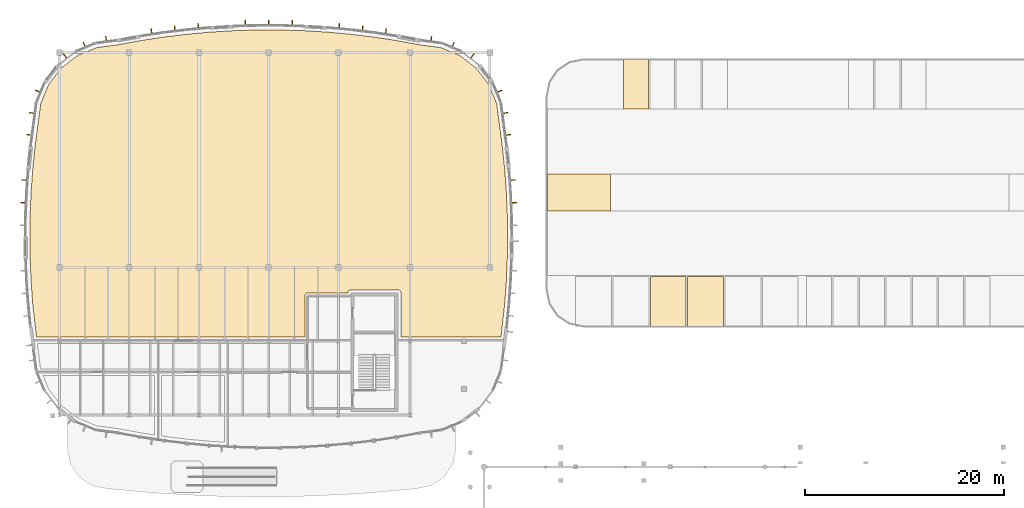
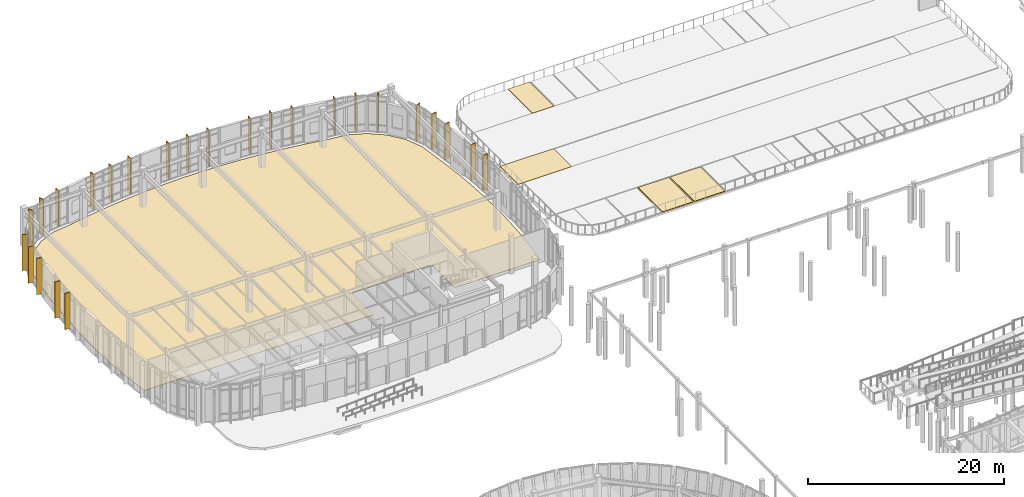
# One storey, part 111 of 120: 30 coverings.
"""IFC4 building model written with IfcOpenShell, lengths in metres."""

from ifc_helpers import new_model, si_unit, direction, origin, place, context, subcontext, project, spatial, polyline, outline, extrude, material, layer, layer_set, type_object, element, save


model = new_model("IFC4")

# Units and contexts
model_context = context("Model", 3, precision=1e-05, world=origin(), true_north=direction((0.0, 1.0)))
body_context = subcontext(model_context, "Body", "Model", "MODEL_VIEW")
ifc_project = project(units=[si_unit("LENGTHUNIT", "METRE"), si_unit("AREAUNIT", "SQUARE_METRE"), si_unit("VOLUMEUNIT", "CUBIC_METRE"), si_unit("PLANEANGLEUNIT", "RADIAN"), si_unit("MASSUNIT", "GRAM", prefix="KILO")], contexts=[model_context])

# Site, building, storey
site_placement = place(None, origin())
site = spatial("IfcSite", under=ifc_project, at=site_placement, CompositionType="ELEMENT")
building_placement = place(site_placement, origin())
building = spatial("IfcBuilding", under=site, at=building_placement, Name="Corveleigh Park Community Centre", CompositionType="ELEMENT")
storey_placement = place(building_placement, origin())
storey = spatial("IfcBuildingStorey", under=building, at=storey_placement, Name="L00", CompositionType="ELEMENT", Elevation=0.0)

# Coverings
ifc_material_1 = material(Name="Warm buff ribbed architectural cladding", Category="masonry")
ifc_layer_1 = layer(ifc_material_1, 0.0849609375, Name="Warm buff ribbed architectural cladding", Category="masonry")
ifc_layer_set_1 = layer_set([ifc_layer_1], Name="Warm buff ribbed architectural cladding")
covering_type_1 = type_object("IfcCoveringType", Name="COV-CLD-BUF", PredefinedType="CLADDING", material=ifc_layer_set_1)
covering_1_placement = place(storey_placement, origin())
element("IfcCovering", 1, at=covering_1_placement, inside=storey, type_object=covering_type_1, Name="V2 L00 Brise-soleil blade 15", PredefinedType="CLADDING", context=body_context, shape_type="SweptSolid", body=[
    extrude(outline(polyline([(56.51611328125, 99.342041015625), (56.52001953125, 99.257080078125), (57.09912109375, 99.281982421875), (57.095947265625, 99.366943359375), (56.51611328125, 99.342041015625)])), origin(), (0.0, 0.0, 1.0), 4.511962890625),
])
covering_2_placement = place(storey_placement, origin())
element("IfcCovering", 2, at=covering_2_placement, inside=storey, type_object=covering_type_1, Name="V2 L00 Brise-soleil blade 16", PredefinedType="CLADDING", context=body_context, shape_type="SweptSolid", body=[
    extrude(outline(polyline([(56.384033203125, 101.60498046875), (56.389892578125, 101.52001953125), (56.968994140625, 101.56201171875), (56.9619140625, 101.64697265625), (56.384033203125, 101.60498046875)])), origin(), (0.0, 0.0, 1.0), 4.511962890625),
])
covering_3_placement = place(storey_placement, origin())
element("IfcCovering", 3, at=covering_3_placement, inside=storey, type_object=covering_type_1, Name="V2 L00 Brise-soleil blade 17", PredefinedType="CLADDING", context=body_context, shape_type="SweptSolid", body=[
    extrude(outline(polyline([(55.922119140625, 106.116943359375), (55.93310546875, 106.031982421875), (56.508056640625, 106.10791015625), (56.4970703125, 106.19189453125), (55.922119140625, 106.116943359375)])), origin(), (0.0, 0.0, 1.0), 4.511962890625),
])
covering_4_placement = place(storey_placement, origin())
element("IfcCovering", 4, at=covering_4_placement, inside=storey, type_object=covering_type_1, Name="V2 L00 Brise-soleil blade 18", PredefinedType="CLADDING", context=body_context, shape_type="SweptSolid", body=[
    extrude(outline(polyline([(55.633056640625, 108.31396484375), (55.64404296875, 108.22900390625), (56.218994140625, 108.304931640625), (56.2080078125, 108.388916015625), (55.633056640625, 108.31396484375)])), origin(), (0.0, 0.0, 1.0), 4.511962890625),
])
covering_5_placement = place(storey_placement, origin())
element("IfcCovering", 5, at=covering_5_placement, inside=storey, type_object=covering_type_1, Name="V2 L00 Brise-soleil blade 19", PredefinedType="CLADDING", context=body_context, shape_type="SweptSolid", body=[
    extrude(outline(polyline([(55.06005859375, 110.4189453125), (55.092041015625, 110.340087890625), (55.6279296875, 110.56201171875), (55.595947265625, 110.64111328125), (55.06005859375, 110.4189453125)])), origin(), (0.0, 0.0, 1.0), 4.511962890625),
])
covering_6_placement = place(storey_placement, origin())
element("IfcCovering", 6, at=covering_6_placement, inside=storey, type_object=covering_type_1, Name="V2 L00 Brise-soleil blade 20", PredefinedType="CLADDING", context=body_context, shape_type="SweptSolid", body=[
    extrude(outline(polyline([(52.424072265625, 113.818115234375), (52.491943359375, 113.76611328125), (52.844970703125, 114.22607421875), (52.777099609375, 114.278076171875), (52.424072265625, 113.818115234375)])), origin(), (0.0, 0.0, 1.0), 4.511962890625),
])
covering_7_placement = place(storey_placement, origin())
element("IfcCovering", 7, at=covering_7_placement, inside=storey, type_object=covering_type_1, Name="V2 L00 Brise-soleil blade 21", PredefinedType="CLADDING", context=body_context, shape_type="SweptSolid", body=[
    extrude(outline(polyline([(50.5400390625, 114.89208984375), (50.618896484375, 114.860107421875), (50.841064453125, 115.39599609375), (50.761962890625, 115.427978515625), (50.5400390625, 114.89208984375)])), origin(), (0.0, 0.0, 1.0), 4.511962890625),
])
covering_8_placement = place(storey_placement, origin())
element("IfcCovering", 8, at=covering_8_placement, inside=storey, type_object=covering_type_1, Name="V2 L00 Brise-soleil blade 22", PredefinedType="CLADDING", context=body_context, shape_type="SweptSolid", body=[
    extrude(outline(polyline([(48.431884765625, 115.444091796875), (48.51611328125, 115.43310546875), (48.592041015625, 116.008056640625), (48.508056640625, 116.01904296875), (48.431884765625, 115.444091796875)])), origin(), (0.0, 0.0, 1.0), 4.511962890625),
])
covering_9_placement = place(storey_placement, origin())
element("IfcCovering", 9, at=covering_9_placement, inside=storey, type_object=covering_type_1, Name="V2 L00 Brise-soleil blade 23", PredefinedType="CLADDING", context=body_context, shape_type="SweptSolid", body=[
    extrude(outline(polyline([(43.876953125, 116.18896484375), (43.9609375, 116.176025390625), (44.048095703125, 116.7490234375), (43.964111328125, 116.761962890625), (43.876953125, 116.18896484375)])), origin(), (0.0, 0.0, 1.0), 4.511962890625),
])
covering_10_placement = place(storey_placement, origin())
element("IfcCovering", 10, at=covering_10_placement, inside=storey, type_object=covering_type_1, Name="V2 L00 Brise-soleil blade 24", PredefinedType="CLADDING", context=body_context, shape_type="SweptSolid", body=[
    extrude(outline(polyline([(41.5458984375, 116.506103515625), (41.6298828125, 116.49609375), (41.699951171875, 117.072021484375), (41.615966796875, 117.08203125), (41.5458984375, 116.506103515625)])), origin(), (0.0, 0.0, 1.0), 4.511962890625),
])
covering_11_placement = place(storey_placement, origin())
element("IfcCovering", 11, at=covering_11_placement, inside=storey, type_object=covering_type_1, Name="V2 L00 Brise-soleil blade 25", PredefinedType="CLADDING", context=body_context, shape_type="SweptSolid", body=[
    extrude(outline(polyline([(39.2060546875, 116.75390625), (39.291015625, 116.74609375), (39.343017578125, 117.323974609375), (39.259033203125, 117.3310546875), (39.2060546875, 116.75390625)])), origin(), (0.0, 0.0, 1.0), 4.511962890625),
])
covering_12_placement = place(storey_placement, origin())
element("IfcCovering", 12, at=covering_12_placement, inside=storey, type_object=covering_type_1, Name="V2 L00 Brise-soleil blade 26", PredefinedType="CLADDING", context=body_context, shape_type="SweptSolid", body=[
    extrude(outline(polyline([(34.510009765625, 117.035888671875), (34.594970703125, 117.032958984375), (34.613037109375, 117.613037109375), (34.528076171875, 117.615966796875), (34.510009765625, 117.035888671875)])), origin(), (0.0, 0.0, 1.0), 4.511962890625),
])
covering_13_placement = place(storey_placement, origin())
element("IfcCovering", 13, at=covering_13_placement, inside=storey, type_object=covering_type_1, Name="V2 L00 Brise-soleil blade 27", PredefinedType="CLADDING", context=body_context, shape_type="SweptSolid", body=[
    extrude(outline(polyline([(32.157958984375, 117.070068359375), (32.241943359375, 117.070068359375), (32.241943359375, 117.64990234375), (32.157958984375, 117.64990234375), (32.157958984375, 117.070068359375)])), origin(), (0.0, 0.0, 1.0), 4.511962890625),
])
covering_14_placement = place(storey_placement, origin())
element("IfcCovering", 14, at=covering_14_placement, inside=storey, type_object=covering_type_1, Name="V2 L00 Brise-soleil blade 28", PredefinedType="CLADDING", context=body_context, shape_type="SweptSolid", body=[
    extrude(outline(polyline([(29.804931640625, 117.032958984375), (29.889892578125, 117.035888671875), (29.8720703125, 117.615966796875), (29.787109375, 117.613037109375), (29.804931640625, 117.032958984375)])), origin(), (0.0, 0.0, 1.0), 4.511962890625),
])
covering_15_placement = place(storey_placement, origin())
element("IfcCovering", 15, at=covering_15_placement, inside=storey, type_object=covering_type_1, Name="V2 L00 Brise-soleil blade 29", PredefinedType="CLADDING", context=body_context, shape_type="SweptSolid", body=[
    extrude(outline(polyline([(25.10888671875, 116.74609375), (25.194091796875, 116.75390625), (25.14111328125, 117.3310546875), (25.056884765625, 117.323974609375), (25.10888671875, 116.74609375)])), origin(), (0.0, 0.0, 1.0), 4.511962890625),
])
covering_16_placement = place(storey_placement, origin())
element("IfcCovering", 16, at=covering_16_placement, inside=storey, type_object=covering_type_1, Name="V2 L00 Brise-soleil blade 30", PredefinedType="CLADDING", context=body_context, shape_type="SweptSolid", body=[
    extrude(outline(polyline([(22.77001953125, 116.49609375), (22.85400390625, 116.506103515625), (22.783935546875, 117.08203125), (22.699951171875, 117.072021484375), (22.77001953125, 116.49609375)])), origin(), (0.0, 0.0, 1.0), 4.511962890625),
])
covering_17_placement = place(storey_placement, origin())
element("IfcCovering", 17, at=covering_17_placement, inside=storey, type_object=covering_type_1, Name="V2 L00 Brise-soleil blade 31", PredefinedType="CLADDING", context=body_context, shape_type="SweptSolid", body=[
    extrude(outline(polyline([(20.43896484375, 116.176025390625), (20.52294921875, 116.18896484375), (20.43603515625, 116.761962890625), (20.35205078125, 116.7490234375), (20.43896484375, 116.176025390625)])), origin(), (0.0, 0.0, 1.0), 4.511962890625),
])
covering_18_placement = place(storey_placement, origin())
element("IfcCovering", 18, at=covering_18_placement, inside=storey, type_object=covering_type_1, Name="V2 L00 Brise-soleil blade 32", PredefinedType="CLADDING", context=body_context, shape_type="SweptSolid", body=[
    extrude(outline(polyline([(15.884033203125, 115.43310546875), (15.968017578125, 115.444091796875), (15.89208984375, 116.01904296875), (15.80810546875, 116.008056640625), (15.884033203125, 115.43310546875)])), origin(), (0.0, 0.0, 1.0), 4.511962890625),
])
covering_19_placement = place(storey_placement, origin())
element("IfcCovering", 19, at=covering_19_placement, inside=storey, type_object=covering_type_1, Name="V2 L00 Brise-soleil blade 33", PredefinedType="CLADDING", context=body_context, shape_type="SweptSolid", body=[
    extrude(outline(polyline([(13.781005859375, 114.860107421875), (13.860107421875, 114.89208984375), (13.637939453125, 115.427978515625), (13.55908203125, 115.39599609375), (13.781005859375, 114.860107421875)])), origin(), (0.0, 0.0, 1.0), 4.511962890625),
])
covering_20_placement = place(storey_placement, origin())
element("IfcCovering", 20, at=covering_20_placement, inside=storey, type_object=covering_type_1, Name="V2 L00 Brise-soleil blade 34", PredefinedType="CLADDING", context=body_context, shape_type="SweptSolid", body=[
    extrude(outline(polyline([(11.907958984375, 113.76611328125), (11.97607421875, 113.818115234375), (11.623046875, 114.278076171875), (11.554931640625, 114.22607421875), (11.907958984375, 113.76611328125)])), origin(), (0.0, 0.0, 1.0), 4.511962890625),
])
covering_21_placement = place(storey_placement, origin())
element("IfcCovering", 21, at=covering_21_placement, inside=storey, type_object=covering_type_1, Name="V2 L00 Brise-soleil blade 35", PredefinedType="CLADDING", context=body_context, shape_type="SweptSolid", body=[
    extrude(outline(polyline([(9.30810546875, 110.340087890625), (9.340087890625, 110.4189453125), (8.803955078125, 110.64111328125), (8.77197265625, 110.56201171875), (9.30810546875, 110.340087890625)])), origin(), (0.0, 0.0, 1.0), 4.511962890625),
])
covering_22_placement = place(storey_placement, origin())
element("IfcCovering", 22, at=covering_22_placement, inside=storey, type_object=covering_type_1, Name="V2 L00 Brise-soleil blade 36", PredefinedType="CLADDING", context=body_context, shape_type="SweptSolid", body=[
    extrude(outline(polyline([(8.756103515625, 108.22900390625), (8.76708984375, 108.31396484375), (8.19189453125, 108.388916015625), (8.180908203125, 108.304931640625), (8.756103515625, 108.22900390625)])), origin(), (0.0, 0.0, 1.0), 4.511962890625),
])
covering_23_placement = place(storey_placement, origin())
element("IfcCovering", 23, at=covering_23_placement, inside=storey, type_object=covering_type_1, Name="V2 L00 Brise-soleil blade 37", PredefinedType="CLADDING", context=body_context, shape_type="SweptSolid", body=[
    extrude(outline(polyline([(8.467041015625, 106.031982421875), (8.47802734375, 106.116943359375), (7.903076171875, 106.19189453125), (7.89208984375, 106.10791015625), (8.467041015625, 106.031982421875)])), origin(), (0.0, 0.0, 1.0), 4.511962890625),
])
covering_24_placement = place(storey_placement, origin())
element("IfcCovering", 24, at=covering_24_placement, inside=storey, type_object=covering_type_1, Name="V2 L00 Brise-soleil blade 38", PredefinedType="CLADDING", context=body_context, shape_type="SweptSolid", body=[
    extrude(outline(polyline([(8.010009765625, 101.52001953125), (8.01611328125, 101.60498046875), (7.43798828125, 101.64697265625), (7.430908203125, 101.56201171875), (8.010009765625, 101.52001953125)])), origin(), (0.0, 0.0, 1.0), 4.511962890625),
])
covering_25_placement = place(storey_placement, origin())
element("IfcCovering", 25, at=covering_25_placement, inside=storey, type_object=covering_type_1, Name="V2 L00 Brise-soleil blade 39", PredefinedType="CLADDING", context=body_context, shape_type="SweptSolid", body=[
    extrude(outline(polyline([(7.8798828125, 99.257080078125), (7.884033203125, 99.342041015625), (7.303955078125, 99.366943359375), (7.301025390625, 99.281982421875), (7.8798828125, 99.257080078125)])), origin(), (0.0, 0.0, 1.0), 4.511962890625),
])
ifc_material_2 = material(Name="Permeable granite-aggregate block paving", Category="masonry")
ifc_layer_2 = layer(ifc_material_2, 0.080078125, Name="Permeable granite-aggregate block paving", Category="masonry")
ifc_layer_set_2 = layer_set([ifc_layer_2], Name="Permeable granite-aggregate block paving")
covering_type_2 = type_object("IfcCoveringType", Name="COV-FLR-PAV", PredefinedType="FLOORING", material=ifc_layer_set_2)
covering_26_placement = place(storey_placement, origin())
element("IfcCovering", 26, at=covering_26_placement, inside=storey, type_object=covering_type_2, Name="Parking loop west access", PredefinedType="FLOORING", context=body_context, shape_type="SweptSolid", body=[
    extrude(outline(polyline([(60.199951171875, 98.5), (66.5, 98.5), (66.5, 102.199951171875), (60.199951171875, 102.199951171875), (60.199951171875, 98.5)])), origin(), (0.0, 0.0, 1.0), 0.080078125),
])
covering_27_placement = place(storey_placement, origin())
element("IfcCovering", 27, at=covering_27_placement, inside=storey, type_object=covering_type_2, Name="Parking bay PB-A3", PredefinedType="FLOORING", context=body_context, shape_type="SweptSolid", body=[
    extrude(outline(polyline([(70.5, 86.89990234375), (74.10009765625, 86.89990234375), (74.10009765625, 91.89990234375), (70.5, 91.89990234375), (70.5, 86.89990234375)])), origin(), (0.0, 0.0, 1.0), 0.080078125),
])
covering_28_placement = place(storey_placement, origin())
element("IfcCovering", 28, at=covering_28_placement, inside=storey, type_object=covering_type_2, Name="Parking bay PB-A4", PredefinedType="FLOORING", context=body_context, shape_type="SweptSolid", body=[
    extrude(outline(polyline([(74.25, 86.89990234375), (77.85009765625, 86.89990234375), (77.85009765625, 91.89990234375), (74.25, 91.89990234375), (74.25, 86.89990234375)])), origin(), (0.0, 0.0, 1.0), 0.080078125),
])
covering_29_placement = place(storey_placement, origin())
element("IfcCovering", 29, at=covering_29_placement, inside=storey, type_object=covering_type_2, Name="Parking bay PB-08", PredefinedType="FLOORING", context=body_context, shape_type="SweptSolid", body=[
    extrude(outline(polyline([(67.800048828125, 108.699951171875), (70.300048828125, 108.699951171875), (70.300048828125, 113.699951171875), (67.800048828125, 113.699951171875), (67.800048828125, 108.699951171875)])), origin(), (0.0, 0.0, 1.0), 0.080078125),
])
ifc_material_3 = material(Name="Sprung hardwood sports flooring", Category="wood")
ifc_layer_3 = layer(ifc_material_3, 0.044921875, Name="Sprung hardwood sports flooring", Category="wood")
ifc_layer_set_3 = layer_set([ifc_layer_3], Name="Sprung hardwood sports flooring")
covering_type_3 = type_object("IfcCoveringType", Name="COV-FLR-SPR", PredefinedType="FLOORING", material=ifc_layer_set_3)
covering_30_placement = place(storey_placement, origin())
element("IfcCovering", 30, at=covering_30_placement, inside=storey, type_object=covering_type_3, Name="Community Sports Hall flooring", PredefinedType="FLOORING", context=body_context, shape_type="SweptSolid", body=[
    extrude(outline(polyline([(13.02197265625, 114.091064453125), (14.94091796875, 114.885009765625), (17.06298828125, 115.1650390625), (19.387939453125, 115.591064453125), (21.700927734375, 115.943115234375), (24.02490234375, 116.22509765625), (26.35498046875, 116.43798828125), (28.69091796875, 116.5791015625), (31.030029296875, 116.64990234375), (33.3701171875, 116.64990234375), (35.708984375, 116.5791015625), (38.044921875, 116.43798828125), (40.375, 116.22509765625), (42.698974609375, 115.943115234375), (45.011962890625, 115.591064453125), (47.3369140625, 115.1650390625), (49.458984375, 114.885009765625), (51.3779296875, 114.091064453125), (53.02587890625, 112.825927734375), (54.291015625, 111.177978515625), (55.0849609375, 109.259033203125), (55.657958984375, 104.89990234375), (55.886962890625, 102.656982421875), (56.050048828125, 100.407958984375), (56.14697265625, 98.155029296875), (56.179931640625, 95.89990234375), (56.14697265625, 93.64501953125), (56.050048828125, 91.39208984375), (55.886962890625, 89.14306640625), (55.51904296875, 85.840087890625), (45.4599609375, 85.840087890625), (45.458984375, 90.343994140625), (45.389892578125, 90.489990234375), (45.219970703125, 90.56005859375), (40.3798828125, 90.56005859375), (40.194091796875, 90.471923828125), (40.139892578125, 90.27001953125), (36.090087890625, 90.27001953125), (35.97705078125, 90.241943359375), (35.889892578125, 90.1630859375), (35.85009765625, 90.030029296875), (35.85009765625, 85.840087890625), (8.881103515625, 85.840087890625), (8.512939453125, 89.14306640625), (8.35009765625, 91.39208984375), (8.2529296875, 93.64501953125), (8.219970703125, 95.89990234375), (8.2529296875, 98.155029296875), (8.35009765625, 100.407958984375), (8.512939453125, 102.656982421875), (8.741943359375, 104.89990234375), (9.31494140625, 109.259033203125), (10.10888671875, 111.177978515625), (11.3740234375, 112.825927734375), (13.02197265625, 114.091064453125)])), origin(), (0.0, 0.0, 1.0), 0.044921875),
])

save(model, "model.ifc")
